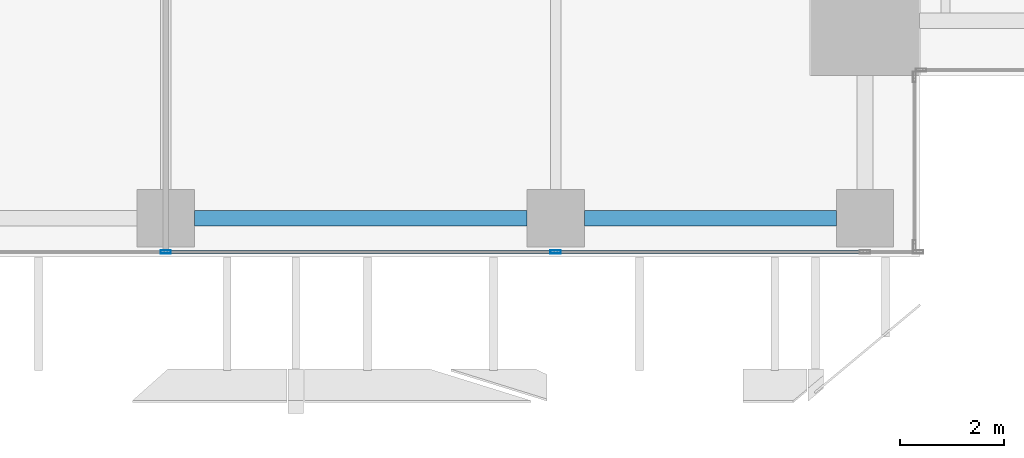
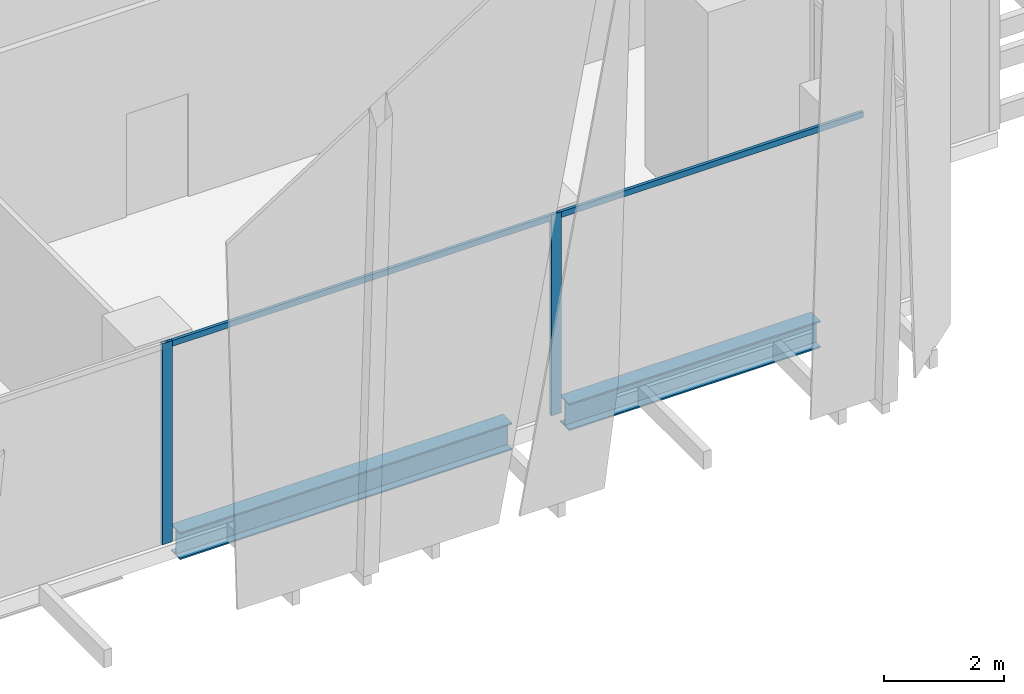
# One storey, part 7 of 35: 4 members, 2 beams, 1 element without a shape of its own.
"""IFC4 building model written with IfcOpenShell, lengths in metres."""

from ifc_helpers import new_model, si_unit, direction, frame, origin, origin_2d, place, context, subcontext, project, spatial, hollow_rectangle, i_section, extrude, source, transform, mapped, material, material_profile, profile_set, type_object, element, aggregate, save


model = new_model("IFC4")

# Units and contexts
model_context = context("Model", 3, precision=1e-05, world=origin(), true_north=direction((0.0, 1.0)))
body_context = subcontext(model_context, "Body", "Model", "MODEL_VIEW")
ifc_project = project(units=[si_unit("LENGTHUNIT", "METRE"), si_unit("AREAUNIT", "SQUARE_METRE"), si_unit("VOLUMEUNIT", "CUBIC_METRE"), si_unit("PLANEANGLEUNIT", "RADIAN"), si_unit("MASSUNIT", "GRAM", prefix="KILO")], contexts=[model_context])

# Site, building, storey
site_placement = place(None, origin())
site = spatial("IfcSite", under=ifc_project, at=site_placement, CompositionType="ELEMENT")
building_placement = place(site_placement, origin())
building = spatial("IfcBuilding", under=site, at=building_placement, Name="Khomas Fold Tower", CompositionType="ELEMENT")
storey_placement = place(building_placement, frame((0.0, 0.0, 127.89990234375)))
storey = spatial("IfcBuildingStorey", under=building, at=storey_placement, Name="L27", CompositionType="ELEMENT", Elevation=127.89990234375)

# Beams
ifc_material_1 = material(Name="Steel S355", Category="steel")
ifc_material_profile_1 = material_profile(ifc_material_1, i_section(OverallWidth=0.300048828125, OverallDepth=0.550048828125, WebThickness=0.014892578125, FlangeThickness=0.029052734375, at=origin_2d()), Name="HE 550 B")
ifc_profile_set_1 = profile_set([ifc_material_profile_1], Name="Steel S355")
beam_type = type_object("IfcBeamType", Name="HE 550 B spandrel SB2", PredefinedType="SPANDREL", material=ifc_profile_set_1)
shared_shape_1 = source(origin(), body_context, "Body", "SweptSolid", [
    extrude(i_section(OverallWidth=0.300048828125, OverallDepth=0.550048828125, WebThickness=0.014892578125, FlangeThickness=0.029052734375, at=origin_2d()), origin(), (0.0, 0.0, 1.0), 4.849853515625),
])
beam_1_placement = place(storey_placement, frame((42.550048828125, 2.25, -0.574951171875), z_axis=(1.0, 0.0, 0.0), x_axis=(0.0, 1.0, 0.0)))
element("IfcBeam", 1, at=beam_1_placement, inside=storey, type_object=beam_type, Name="SB2", PredefinedType="SPANDREL", context=body_context, shape_type="MappedRepresentation", body=[
    mapped(shared_shape_1, transform((0.0, 0.0, 0.0))),
])
shared_shape_2 = source(origin(), body_context, "Body", "SweptSolid", [
    extrude(i_section(OverallWidth=0.300048828125, OverallDepth=0.550048828125, WebThickness=0.014892578125, FlangeThickness=0.029052734375, at=origin_2d()), origin(), (0.0, 0.0, 1.0), 6.39990234375),
])
beam_2_placement = place(storey_placement, frame((35.050048828125, 2.25, -0.574951171875), z_axis=(1.0, 0.0, 0.0), x_axis=(0.0, 1.0, 0.0)))
element("IfcBeam", 2, at=beam_2_placement, inside=storey, type_object=beam_type, Name="SB2", PredefinedType="SPANDREL", context=body_context, shape_type="MappedRepresentation", body=[
    mapped(shared_shape_2, transform((0.0, 0.0, 0.0))),
])

# Curtain wall, members
ifc_material_2 = material(Name="Aluminium framed double glazing", Category="aluminium")
curtain_wall_type = type_object("IfcCurtainWallType", Name="SK-Unitised clear-glass wall, growing floors CW1", PredefinedType="NOTDEFINED", material=ifc_material_2)
curtain_wall_placement = place(storey_placement, origin())
curtain_wall = element("IfcCurtainWall", 3, at=curtain_wall_placement, inside=storey, type_object=curtain_wall_type, Name="CW1 run L27 00-0", PredefinedType="NOTDEFINED")
ifc_material_3 = material(Name="Aluminium", Category="aluminium")
ifc_material_profile_2 = material_profile(ifc_material_3, hollow_rectangle(XDim=0.06005859375, YDim=0.1201171875, WallThickness=0.00390625, at=origin_2d()), Name="SK-Unitised clear-glass wall, growing floors transom CW1-T")
ifc_profile_set_2 = profile_set([ifc_material_profile_2], Name="Aluminium")
member_type_1 = type_object("IfcMemberType", Name="SK-Unitised clear-glass wall, growing floors transom CW1-T", PredefinedType="USERDEFINED", material=ifc_profile_set_2)
shared_shape_3 = source(origin(), body_context, "Body", "SweptSolid", [
    extrude(hollow_rectangle(XDim=0.06005859375, YDim=0.1201171875, WallThickness=0.00390625, at=origin_2d()), origin(), (0.0, 0.0, 1.0), 7.43994140625),
])
member_1_placement = place(storey_placement, frame((34.530029296875, 1.60009765625, 4.0400390625), z_axis=(1.0, 0.0, 0.0), x_axis=(0.0, 1.0, 0.0)))
member_1 = element("IfcMember", 4, at=member_1_placement, type_object=member_type_1, Name="CW1 transom 6", ObjectType="TRANSOM", PredefinedType="USERDEFINED", context=body_context, shape_type="MappedRepresentation", body=[
    mapped(shared_shape_3, transform((0.0, 0.0, 0.0))),
])
ifc_material_4 = material(Name="Aluminium", Category="aluminium")
ifc_material_profile_3 = material_profile(ifc_material_4, hollow_rectangle(XDim=0.06005859375, YDim=0.199951171875, WallThickness=0.00390625, at=origin_2d()), Name="SK-Unitised clear-glass wall, growing floors mullion CW1-M")
ifc_profile_set_3 = profile_set([ifc_material_profile_3], Name="Aluminium")
member_type_2 = type_object("IfcMemberType", Name="SK-Unitised clear-glass wall, growing floors mullion CW1-M", PredefinedType="MULLION", material=ifc_profile_set_3)
shared_shape_4 = source(origin(), body_context, "Body", "SweptSolid", [
    extrude(hollow_rectangle(XDim=0.06005859375, YDim=0.199951171875, WallThickness=0.00390625, at=origin_2d()), origin(), (0.0, 0.0, 1.0), 4.10009765625),
])
member_2_placement = place(storey_placement, frame((34.5, 1.60009765625, 0.0), z_axis=(0.0, 0.0, 1.0), x_axis=(0.0, 1.0, 0.0)))
member_2 = element("IfcMember", 5, at=member_2_placement, type_object=member_type_2, Name="CW1 mullion 6", PredefinedType="MULLION", context=body_context, shape_type="MappedRepresentation", body=[
    mapped(shared_shape_4, transform((0.0, 0.0, 0.0))),
])
member_3_placement = place(storey_placement, frame((42.0, 1.60009765625, 0.0), z_axis=(0.0, 0.0, 1.0), x_axis=(0.0, 1.0, 0.0)))
member_3 = element("IfcMember", 6, at=member_3_placement, type_object=member_type_2, Name="CW1 mullion 7", PredefinedType="MULLION", context=body_context, shape_type="MappedRepresentation", body=[
    mapped(shared_shape_4, transform((0.0, 0.0, 0.0))),
])
shared_shape_5 = source(origin(), body_context, "Body", "SweptSolid", [
    extrude(hollow_rectangle(XDim=0.06005859375, YDim=0.1201171875, WallThickness=0.00390625, at=origin_2d()), origin(), (0.0, 0.0, 1.0), 5.889892578125),
])
member_4_placement = place(storey_placement, frame((42.030029296875, 1.60009765625, 4.0400390625), z_axis=(1.0, 0.0, 0.0), x_axis=(0.0, 1.0, 0.0)))
member_4 = element("IfcMember", 7, at=member_4_placement, type_object=member_type_1, Name="CW1 transom 7", ObjectType="TRANSOM", PredefinedType="USERDEFINED", context=body_context, shape_type="MappedRepresentation", body=[
    mapped(shared_shape_5, transform((0.0, 0.0, 0.0))),
])
aggregate(curtain_wall, [member_2, member_3, member_1, member_4])

save(model, "model.ifc")
